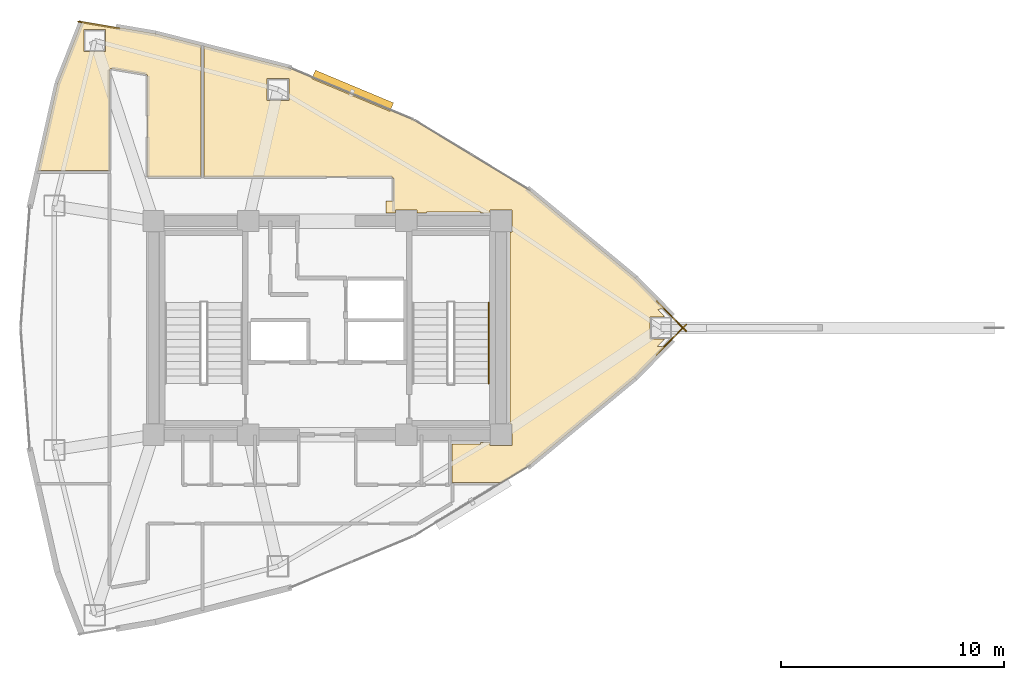
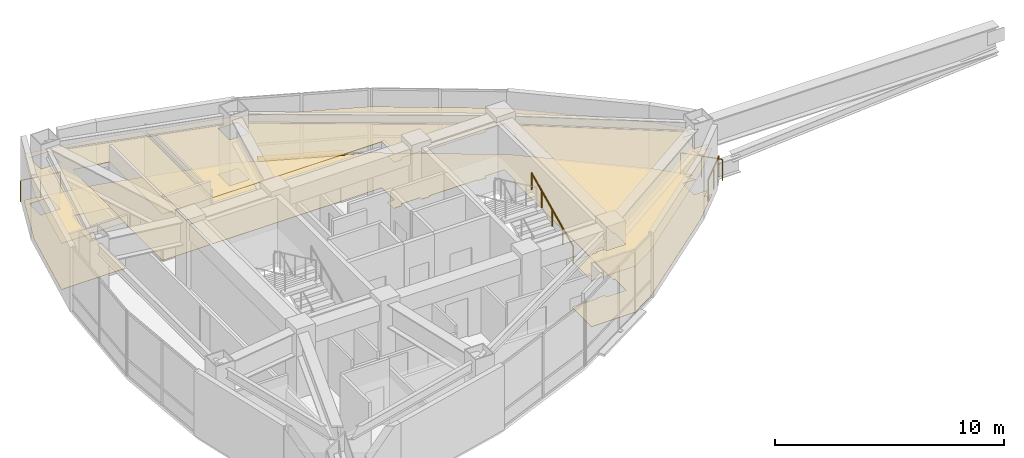
# One storey, part 15 of 15: 4 coverings, 4 railings, 1 shading device.
"""IFC4 building model written with IfcOpenShell, lengths in metres."""

from ifc_helpers import new_model, si_unit, direction, frame, origin, origin_2d, place, context, subcontext, project, spatial, polyline, rectangle, circle, outline, extrude, material, layer, layer_set, type_object, element, save


model = new_model("IFC4")

# Units and contexts
model_context = context("Model", 3, precision=1e-05, world=origin(), true_north=direction((0.0, 1.0)))
body_context = subcontext(model_context, "Body", "Model", "MODEL_VIEW")
ifc_project = project(units=[si_unit("LENGTHUNIT", "METRE"), si_unit("AREAUNIT", "SQUARE_METRE"), si_unit("VOLUMEUNIT", "CUBIC_METRE"), si_unit("PLANEANGLEUNIT", "RADIAN"), si_unit("MASSUNIT", "GRAM", prefix="KILO")], contexts=[model_context])

# Site, building, storey
site_placement = place(None, origin())
site = spatial("IfcSite", under=ifc_project, at=site_placement, CompositionType="ELEMENT")
building_placement = place(site_placement, origin())
building = spatial("IfcBuilding", under=site, at=building_placement, Name="Menara Vayukalpa", CompositionType="ELEMENT")
storey_placement = place(building_placement, frame((0.0, 0.0, 230.699951171875)))
storey = spatial("IfcBuildingStorey", under=building, at=storey_placement, Name="L58", CompositionType="ELEMENT", Elevation=230.699951171875)

# Coverings
ifc_material_1 = material(Name="Mineral Fibre Acoustic Ceiling Tile", Category="masonry")
ifc_layer_1 = layer(ifc_material_1, 0.02490234375)
ifc_layer_set_1 = layer_set([ifc_layer_1], Name="Mineral Fibre Acoustic Ceiling Tile")
covering_type_1 = type_object("IfcCoveringType", Name="COV-CLG1", PredefinedType="CEILING", material=ifc_layer_set_1)
covering_1_placement = place(storey_placement, frame((0.0, 0.0, 2.449951171875)))
element("IfcCovering", 1, at=covering_1_placement, inside=storey, type_object=covering_type_1, Name="L58 Departmental Archive Room Acoustic Ceiling", PredefinedType="CEILING", context=body_context, shape_type="SweptSolid", body=[
    extrude(outline(polyline([(33.81005859375, 26.31005859375), (33.889892578125, 26.31005859375), (33.889892578125, 27.2900390625), (32.909912109375, 27.2900390625), (32.909912109375, 27.14990234375), (32.489990234375, 27.14990234375), (32.489990234375, 27.2099609375), (30.06005859375, 27.2099609375), (30.06005859375, 27.14990234375), (29.639892578125, 27.14990234375), (29.639892578125, 27.2900390625), (28.659912109375, 27.2900390625), (28.659912109375, 27.14990234375), (28.239990234375, 27.14990234375), (28.239990234375, 27.7099609375), (28.570068359375, 27.7099609375), (28.570068359375, 28.69970703125), (28.569580078125, 28.706787109375), (28.568603515625, 28.713623046875), (28.56689453125, 28.72021484375), (28.564697265625, 28.726806640625), (28.561767578125, 28.73291015625), (28.55810546875, 28.73876953125), (28.553955078125, 28.744384765625), (28.549560546875, 28.74951171875), (28.54443359375, 28.75390625), (28.538818359375, 28.75830078125), (28.532958984375, 28.76171875), (28.52685546875, 28.7646484375), (28.520263671875, 28.76708984375), (28.513671875, 28.768798828125), (28.5068359375, 28.76953125), (28.499755859375, 28.77001953125), (20.070068359375, 28.77001953125), (20.069091796875, 28.77001953125), (20.068115234375, 28.770263671875), (20.067138671875, 28.7705078125), (20.066162109375, 28.770751953125), (20.065185546875, 28.771240234375), (20.064453125, 28.771728515625), (20.063720703125, 28.772216796875), (20.06298828125, 28.77294921875), (20.062255859375, 28.773681640625), (20.061767578125, 28.7744140625), (20.061279296875, 28.775390625), (20.060791015625, 28.776123046875), (20.060302734375, 28.777099609375), (20.060302734375, 28.778076171875), (20.06005859375, 28.779052734375), (20.06005859375, 28.780029296875), (20.06005859375, 34.641845703125), (20.06005859375, 34.642822265625), (20.060302734375, 34.643798828125), (20.060302734375, 34.644775390625), (20.060791015625, 34.6455078125), (20.06103515625, 34.646484375), (20.0615234375, 34.647216796875), (20.062255859375, 34.648193359375), (20.062744140625, 34.648681640625), (20.0634765625, 34.6494140625), (20.064208984375, 34.650146484375), (20.065185546875, 34.650634765625), (20.06591796875, 34.65087890625), (20.06689453125, 34.6513671875), (20.067626953125, 34.651611328125), (20.068603515625, 34.65185546875), (20.069580078125, 34.65185546875), (20.070556640625, 34.65185546875), (20.071533203125, 34.65185546875), (20.072509765625, 34.651611328125), (23.884765625, 33.67919921875), (23.885986328125, 33.6787109375), (29.478515625, 31.33935546875), (29.479248046875, 31.339111328125), (29.47998046875, 31.338623046875), (34.660888671875, 28.19140625), (34.662109375, 28.190673828125), (39.431884765625, 24.235107421875), (39.4326171875, 24.234375), (40.784912109375, 22.85693359375), (40.78564453125, 22.856201171875), (40.786376953125, 22.85546875), (40.786865234375, 22.8544921875), (40.787109375, 22.853759765625), (40.78759765625, 22.852783203125), (40.78759765625, 22.851806640625), (40.787841796875, 22.850830078125), (40.787841796875, 22.849853515625), (40.787841796875, 22.84912109375), (40.78759765625, 22.847900390625), (40.78759765625, 22.846923828125), (40.787109375, 22.84619140625), (40.78662109375, 22.84521484375), (40.7861328125, 22.844482421875), (40.78564453125, 22.843505859375), (40.784912109375, 22.843017578125), (40.7841796875, 22.84228515625), (40.783447265625, 22.841796875), (40.78271484375, 22.84130859375), (40.78173828125, 22.8408203125), (40.78076171875, 22.84033203125), (40.77978515625, 22.840087890625), (40.77880859375, 22.840087890625), (40.77783203125, 22.840087890625), (40.5908203125, 22.840087890625), (40.50830078125, 22.8359375), (40.4375, 22.825439453125), (40.76708984375, 22.489990234375), (40.1005859375, 22.489990234375), (40.1005859375, 21.510009765625), (40.76708984375, 21.510009765625), (40.4375, 21.174560546875), (40.50830078125, 21.1640625), (40.5908203125, 21.159912109375), (40.77783203125, 21.159912109375), (40.77880859375, 21.159912109375), (40.77978515625, 21.159912109375), (40.78076171875, 21.15966796875), (40.78173828125, 21.1591796875), (40.78271484375, 21.15869140625), (40.783447265625, 21.158203125), (40.7841796875, 21.15771484375), (40.784912109375, 21.156982421875), (40.78564453125, 21.156494140625), (40.7861328125, 21.155517578125), (40.78662109375, 21.15478515625), (40.787109375, 21.15380859375), (40.78759765625, 21.153076171875), (40.78759765625, 21.152099609375), (40.787841796875, 21.15087890625), (40.787841796875, 21.150146484375), (40.787841796875, 21.149169921875), (40.78759765625, 21.148193359375), (40.78759765625, 21.147216796875), (40.787109375, 21.146240234375), (40.786865234375, 21.1455078125), (40.786376953125, 21.14453125), (40.78564453125, 21.143798828125), (40.784912109375, 21.14306640625), (39.4326171875, 19.765625), (39.431884765625, 19.764892578125), (34.662109375, 15.809326171875), (34.660888671875, 15.80859375), (33.412109375, 15.050048828125), (33.4111328125, 15.049560546875), (33.410400390625, 15.049072265625), (33.409423828125, 15.048828125), (33.408447265625, 15.048583984375), (33.407470703125, 15.048583984375), (33.406494140625, 15.048583984375), (33.405517578125, 15.048583984375), (33.404541015625, 15.048828125), (33.403564453125, 15.049072265625), (33.402587890625, 15.04931640625), (33.40185546875, 15.0498046875), (33.396728515625, 15.052978515625), (33.391357421875, 15.055419921875), (33.385986328125, 15.057373046875), (33.380126953125, 15.058837890625), (33.374267578125, 15.059814453125), (33.368408203125, 15.06005859375), (31.219970703125, 15.06005859375), (31.218994140625, 15.06005859375), (31.218017578125, 15.060302734375), (31.217041015625, 15.060302734375), (31.21630859375, 15.060791015625), (31.21533203125, 15.061279296875), (31.21435546875, 15.061767578125), (31.213623046875, 15.062255859375), (31.212890625, 15.06298828125), (31.21240234375, 15.063720703125), (31.211669921875, 15.064453125), (31.211181640625, 15.065185546875), (31.210693359375, 15.066162109375), (31.21044921875, 15.067138671875), (31.210205078125, 15.068115234375), (31.2099609375, 15.069091796875), (31.2099609375, 15.070068359375), (31.2099609375, 16.780029296875), (31.2099609375, 16.781005859375), (31.210205078125, 16.781982421875), (31.21044921875, 16.782958984375), (31.210693359375, 16.78369140625), (31.211181640625, 16.78466796875), (31.211669921875, 16.78564453125), (31.21240234375, 16.786376953125), (31.212890625, 16.787109375), (31.213623046875, 16.78759765625), (31.21435546875, 16.788330078125), (31.21533203125, 16.788818359375), (31.21630859375, 16.789306640625), (31.217041015625, 16.78955078125), (31.218017578125, 16.789794921875), (31.218994140625, 16.7900390625), (31.219970703125, 16.7900390625), (32.489990234375, 16.7900390625), (32.489990234375, 16.85009765625), (32.909912109375, 16.85009765625), (32.909912109375, 16.7099609375), (33.889892578125, 16.7099609375), (33.889892578125, 17.68994140625), (33.81005859375, 17.68994140625), (33.81005859375, 26.31005859375)]), holes=[polyline([(23.87939453125, 33.198486328125), (22.8994140625, 33.198486328125), (22.8994140625, 32.218505859375), (23.87939453125, 32.218505859375), (23.87939453125, 33.198486328125)])]), origin(), (0.0, 0.0, 1.0), 0.025146484375),
])
covering_2_placement = place(storey_placement, frame((0.0, 0.0, 2.449951171875)))
element("IfcCovering", 2, at=covering_2_placement, inside=storey, type_object=covering_type_1, Name="L58 Departmental Archive Room Acoustic Ceiling", PredefinedType="CEILING", context=body_context, shape_type="SweptSolid", body=[
    extrude(outline(polyline([(13.489013671875, 32.976318359375), (14.583251953125, 35.762451171875), (14.58349609375, 35.76318359375), (14.583984375, 35.76416015625), (14.584716796875, 35.764892578125), (14.585205078125, 35.765625), (14.5859375, 35.766357421875), (14.5869140625, 35.766845703125), (14.587646484375, 35.767333984375), (14.58837890625, 35.767822265625), (14.58935546875, 35.768310546875), (14.59033203125, 35.7685546875), (14.59130859375, 35.7685546875), (14.59228515625, 35.768798828125), (14.59326171875, 35.768798828125), (14.59423828125, 35.7685546875), (17.879150390625, 35.2109375), (17.8798828125, 35.210693359375), (19.9326171875, 34.687255859375), (19.933349609375, 34.68701171875), (19.934326171875, 34.6865234375), (19.935302734375, 34.68603515625), (19.93603515625, 34.685546875), (19.93701171875, 34.684814453125), (19.9375, 34.68408203125), (19.938232421875, 34.683349609375), (19.938720703125, 34.6826171875), (19.939208984375, 34.681640625), (19.939453125, 34.6806640625), (19.939697265625, 34.6796875), (19.93994140625, 34.6787109375), (19.93994140625, 34.677490234375), (19.93994140625, 28.780029296875), (19.93994140625, 28.779052734375), (19.939697265625, 28.778076171875), (19.939697265625, 28.777099609375), (19.939208984375, 28.776123046875), (19.938720703125, 28.775390625), (19.938232421875, 28.7744140625), (19.937744140625, 28.773681640625), (19.93701171875, 28.77294921875), (19.936279296875, 28.772216796875), (19.935546875, 28.771728515625), (19.934814453125, 28.771240234375), (19.933837890625, 28.770751953125), (19.932861328125, 28.7705078125), (19.931884765625, 28.770263671875), (19.930908203125, 28.77001953125), (19.929931640625, 28.77001953125), (17.5400390625, 28.77001953125), (17.5390625, 28.77001953125), (17.5380859375, 28.770263671875), (17.537109375, 28.7705078125), (17.5361328125, 28.770751953125), (17.535400390625, 28.771240234375), (17.534423828125, 28.771728515625), (17.53369140625, 28.772216796875), (17.532958984375, 28.77294921875), (17.5322265625, 28.773681640625), (17.53173828125, 28.7744140625), (17.53125, 28.775390625), (17.53076171875, 28.776123046875), (17.530517578125, 28.777099609375), (17.5302734375, 28.778076171875), (17.530029296875, 28.779052734375), (17.530029296875, 28.780029296875), (17.530029296875, 33.314208984375), (17.529541015625, 33.3212890625), (17.528564453125, 33.328125), (17.52685546875, 33.335205078125), (17.5244140625, 33.341552734375), (17.521484375, 33.347900390625), (17.517822265625, 33.353759765625), (17.513427734375, 33.359375), (17.508544921875, 33.364501953125), (17.50341796875, 33.369140625), (17.497802734375, 33.373291015625), (17.49169921875, 33.376708984375), (17.485107421875, 33.37939453125), (17.478515625, 33.3818359375), (17.471435546875, 33.38330078125), (15.912109375, 33.648193359375), (15.905029296875, 33.64892578125), (15.898193359375, 33.649169921875), (15.8916015625, 33.648681640625), (15.884765625, 33.6474609375), (15.87841796875, 33.645751953125), (15.8720703125, 33.643310546875), (15.865966796875, 33.64013671875), (15.860107421875, 33.63671875), (15.854736328125, 33.632568359375), (15.849853515625, 33.6279296875), (15.845458984375, 33.623046875), (15.841552734375, 33.617431640625), (15.837890625, 33.611572265625), (15.835205078125, 33.60546875), (15.8330078125, 33.59912109375), (15.831298828125, 33.592529296875), (15.830322265625, 33.585693359375), (15.830078125, 33.578857421875), (15.830078125, 29.070068359375), (15.830078125, 29.069091796875), (15.829833984375, 29.068115234375), (15.82958984375, 29.067138671875), (15.8291015625, 29.066162109375), (15.828857421875, 29.065185546875), (15.828369140625, 29.064453125), (15.82763671875, 29.063720703125), (15.8271484375, 29.06298828125), (15.826416015625, 29.062255859375), (15.82568359375, 29.061767578125), (15.82470703125, 29.061279296875), (15.82373046875, 29.060791015625), (15.822998046875, 29.060302734375), (15.822021484375, 29.060302734375), (15.821044921875, 29.06005859375), (15.820068359375, 29.06005859375), (12.6201171875, 29.06005859375), (12.619140625, 29.06005859375), (12.6181640625, 29.060302734375), (12.6171875, 29.060302734375), (12.6162109375, 29.060791015625), (12.615478515625, 29.061279296875), (12.614501953125, 29.061767578125), (12.61376953125, 29.062255859375), (12.613037109375, 29.06298828125), (12.6123046875, 29.063720703125), (12.61181640625, 29.064697265625), (12.611328125, 29.0654296875), (12.61083984375, 29.06640625), (12.610595703125, 29.0673828125), (12.6103515625, 29.068115234375), (12.610107421875, 29.069091796875), (12.610107421875, 29.0703125), (12.6103515625, 29.0712890625), (12.6103515625, 29.072265625), (13.488525390625, 32.974853515625), (13.48876953125, 32.9755859375), (13.489013671875, 32.976318359375)]), holes=[polyline([(15.644775390625, 35.392578125), (14.664794921875, 35.392578125), (14.664794921875, 34.41259765625), (15.644775390625, 34.41259765625), (15.644775390625, 35.392578125)])]), origin(), (0.0, 0.0, 1.0), 0.025146484375),
])
ifc_material_2 = material(Name="Porcelain Stoneware Floor Tile", Category="masonry")
ifc_layer_2 = layer(ifc_material_2, 0.02001953125)
ifc_layer_set_2 = layer_set([ifc_layer_2], Name="Porcelain Stoneware Floor Tile")
covering_type_2 = type_object("IfcCoveringType", Name="COV-FLR1", PredefinedType="FLOORING", material=ifc_layer_set_2)
covering_3_placement = place(storey_placement, origin())
element("IfcCovering", 3, at=covering_3_placement, inside=storey, type_object=covering_type_2, Name="L58 Departmental Archive Room Porcelain Flooring", PredefinedType="FLOORING", context=body_context, shape_type="SweptSolid", body=[
    extrude(outline(polyline([(33.81005859375, 26.31005859375), (33.889892578125, 26.31005859375), (33.889892578125, 27.2900390625), (32.909912109375, 27.2900390625), (32.909912109375, 27.14990234375), (32.489990234375, 27.14990234375), (32.489990234375, 27.2099609375), (30.06005859375, 27.2099609375), (30.06005859375, 27.14990234375), (29.639892578125, 27.14990234375), (29.639892578125, 27.2900390625), (28.659912109375, 27.2900390625), (28.659912109375, 27.14990234375), (28.239990234375, 27.14990234375), (28.239990234375, 27.7099609375), (28.570068359375, 27.7099609375), (28.570068359375, 28.69970703125), (28.569580078125, 28.706787109375), (28.568603515625, 28.713623046875), (28.56689453125, 28.72021484375), (28.564697265625, 28.726806640625), (28.561767578125, 28.73291015625), (28.55810546875, 28.73876953125), (28.553955078125, 28.744384765625), (28.549560546875, 28.74951171875), (28.54443359375, 28.75390625), (28.538818359375, 28.75830078125), (28.532958984375, 28.76171875), (28.52685546875, 28.7646484375), (28.520263671875, 28.76708984375), (28.513671875, 28.768798828125), (28.5068359375, 28.76953125), (28.499755859375, 28.77001953125), (20.070068359375, 28.77001953125), (20.069091796875, 28.77001953125), (20.068115234375, 28.770263671875), (20.067138671875, 28.7705078125), (20.066162109375, 28.770751953125), (20.065185546875, 28.771240234375), (20.064453125, 28.771728515625), (20.063720703125, 28.772216796875), (20.06298828125, 28.77294921875), (20.062255859375, 28.773681640625), (20.061767578125, 28.7744140625), (20.061279296875, 28.775390625), (20.060791015625, 28.776123046875), (20.060302734375, 28.777099609375), (20.060302734375, 28.778076171875), (20.06005859375, 28.779052734375), (20.06005859375, 28.780029296875), (20.06005859375, 34.641845703125), (20.06005859375, 34.642822265625), (20.060302734375, 34.643798828125), (20.060302734375, 34.644775390625), (20.060791015625, 34.6455078125), (20.06103515625, 34.646484375), (20.0615234375, 34.647216796875), (20.062255859375, 34.648193359375), (20.062744140625, 34.648681640625), (20.0634765625, 34.6494140625), (20.064208984375, 34.650146484375), (20.065185546875, 34.650634765625), (20.06591796875, 34.65087890625), (20.06689453125, 34.6513671875), (20.067626953125, 34.651611328125), (20.068603515625, 34.65185546875), (20.069580078125, 34.65185546875), (20.070556640625, 34.65185546875), (20.071533203125, 34.65185546875), (20.072509765625, 34.651611328125), (23.884765625, 33.67919921875), (23.885986328125, 33.6787109375), (29.478515625, 31.33935546875), (29.479248046875, 31.339111328125), (29.47998046875, 31.338623046875), (34.660888671875, 28.19140625), (34.662109375, 28.190673828125), (39.431884765625, 24.235107421875), (39.4326171875, 24.234375), (40.784912109375, 22.85693359375), (40.78564453125, 22.856201171875), (40.786376953125, 22.85546875), (40.786865234375, 22.8544921875), (40.787109375, 22.853759765625), (40.78759765625, 22.852783203125), (40.78759765625, 22.851806640625), (40.787841796875, 22.850830078125), (40.787841796875, 22.849853515625), (40.787841796875, 22.84912109375), (40.78759765625, 22.847900390625), (40.78759765625, 22.846923828125), (40.787109375, 22.84619140625), (40.78662109375, 22.84521484375), (40.7861328125, 22.844482421875), (40.78564453125, 22.843505859375), (40.784912109375, 22.843017578125), (40.7841796875, 22.84228515625), (40.783447265625, 22.841796875), (40.78271484375, 22.84130859375), (40.78173828125, 22.8408203125), (40.78076171875, 22.84033203125), (40.77978515625, 22.840087890625), (40.77880859375, 22.840087890625), (40.77783203125, 22.840087890625), (40.5908203125, 22.840087890625), (40.50830078125, 22.8359375), (40.4375, 22.825439453125), (40.76708984375, 22.489990234375), (40.1005859375, 22.489990234375), (40.1005859375, 21.510009765625), (40.76708984375, 21.510009765625), (40.4375, 21.174560546875), (40.50830078125, 21.1640625), (40.5908203125, 21.159912109375), (40.77783203125, 21.159912109375), (40.77880859375, 21.159912109375), (40.77978515625, 21.159912109375), (40.78076171875, 21.15966796875), (40.78173828125, 21.1591796875), (40.78271484375, 21.15869140625), (40.783447265625, 21.158203125), (40.7841796875, 21.15771484375), (40.784912109375, 21.156982421875), (40.78564453125, 21.156494140625), (40.7861328125, 21.155517578125), (40.78662109375, 21.15478515625), (40.787109375, 21.15380859375), (40.78759765625, 21.153076171875), (40.78759765625, 21.152099609375), (40.787841796875, 21.15087890625), (40.787841796875, 21.150146484375), (40.787841796875, 21.149169921875), (40.78759765625, 21.148193359375), (40.78759765625, 21.147216796875), (40.787109375, 21.146240234375), (40.786865234375, 21.1455078125), (40.786376953125, 21.14453125), (40.78564453125, 21.143798828125), (40.784912109375, 21.14306640625), (39.4326171875, 19.765625), (39.431884765625, 19.764892578125), (34.662109375, 15.809326171875), (34.660888671875, 15.80859375), (33.412109375, 15.050048828125), (33.4111328125, 15.049560546875), (33.410400390625, 15.049072265625), (33.409423828125, 15.048828125), (33.408447265625, 15.048583984375), (33.407470703125, 15.048583984375), (33.406494140625, 15.048583984375), (33.405517578125, 15.048583984375), (33.404541015625, 15.048828125), (33.403564453125, 15.049072265625), (33.402587890625, 15.04931640625), (33.40185546875, 15.0498046875), (33.396728515625, 15.052978515625), (33.391357421875, 15.055419921875), (33.385986328125, 15.057373046875), (33.380126953125, 15.058837890625), (33.374267578125, 15.059814453125), (33.368408203125, 15.06005859375), (31.219970703125, 15.06005859375), (31.218994140625, 15.06005859375), (31.218017578125, 15.060302734375), (31.217041015625, 15.060302734375), (31.21630859375, 15.060791015625), (31.21533203125, 15.061279296875), (31.21435546875, 15.061767578125), (31.213623046875, 15.062255859375), (31.212890625, 15.06298828125), (31.21240234375, 15.063720703125), (31.211669921875, 15.064453125), (31.211181640625, 15.065185546875), (31.210693359375, 15.066162109375), (31.21044921875, 15.067138671875), (31.210205078125, 15.068115234375), (31.2099609375, 15.069091796875), (31.2099609375, 15.070068359375), (31.2099609375, 16.780029296875), (31.2099609375, 16.781005859375), (31.210205078125, 16.781982421875), (31.21044921875, 16.782958984375), (31.210693359375, 16.78369140625), (31.211181640625, 16.78466796875), (31.211669921875, 16.78564453125), (31.21240234375, 16.786376953125), (31.212890625, 16.787109375), (31.213623046875, 16.78759765625), (31.21435546875, 16.788330078125), (31.21533203125, 16.788818359375), (31.21630859375, 16.789306640625), (31.217041015625, 16.78955078125), (31.218017578125, 16.789794921875), (31.218994140625, 16.7900390625), (31.219970703125, 16.7900390625), (32.489990234375, 16.7900390625), (32.489990234375, 16.85009765625), (32.909912109375, 16.85009765625), (32.909912109375, 16.7099609375), (33.889892578125, 16.7099609375), (33.889892578125, 17.68994140625), (33.81005859375, 17.68994140625), (33.81005859375, 26.31005859375)]), holes=[polyline([(23.87939453125, 33.198486328125), (22.8994140625, 33.198486328125), (22.8994140625, 32.218505859375), (23.87939453125, 32.218505859375), (23.87939453125, 33.198486328125)])]), origin(), (0.0, 0.0, 1.0), 0.02001953125),
])
covering_4_placement = place(storey_placement, origin())
element("IfcCovering", 4, at=covering_4_placement, inside=storey, type_object=covering_type_2, Name="L58 Departmental Archive Room Porcelain Flooring", PredefinedType="FLOORING", context=body_context, shape_type="SweptSolid", body=[
    extrude(outline(polyline([(13.489013671875, 32.976318359375), (14.583251953125, 35.762451171875), (14.58349609375, 35.76318359375), (14.583984375, 35.76416015625), (14.584716796875, 35.764892578125), (14.585205078125, 35.765625), (14.5859375, 35.766357421875), (14.5869140625, 35.766845703125), (14.587646484375, 35.767333984375), (14.58837890625, 35.767822265625), (14.58935546875, 35.768310546875), (14.59033203125, 35.7685546875), (14.59130859375, 35.7685546875), (14.59228515625, 35.768798828125), (14.59326171875, 35.768798828125), (14.59423828125, 35.7685546875), (17.879150390625, 35.2109375), (17.8798828125, 35.210693359375), (19.9326171875, 34.687255859375), (19.933349609375, 34.68701171875), (19.934326171875, 34.6865234375), (19.935302734375, 34.68603515625), (19.93603515625, 34.685546875), (19.93701171875, 34.684814453125), (19.9375, 34.68408203125), (19.938232421875, 34.683349609375), (19.938720703125, 34.6826171875), (19.939208984375, 34.681640625), (19.939453125, 34.6806640625), (19.939697265625, 34.6796875), (19.93994140625, 34.6787109375), (19.93994140625, 34.677490234375), (19.93994140625, 28.780029296875), (19.93994140625, 28.779052734375), (19.939697265625, 28.778076171875), (19.939697265625, 28.777099609375), (19.939208984375, 28.776123046875), (19.938720703125, 28.775390625), (19.938232421875, 28.7744140625), (19.937744140625, 28.773681640625), (19.93701171875, 28.77294921875), (19.936279296875, 28.772216796875), (19.935546875, 28.771728515625), (19.934814453125, 28.771240234375), (19.933837890625, 28.770751953125), (19.932861328125, 28.7705078125), (19.931884765625, 28.770263671875), (19.930908203125, 28.77001953125), (19.929931640625, 28.77001953125), (17.5400390625, 28.77001953125), (17.5390625, 28.77001953125), (17.5380859375, 28.770263671875), (17.537109375, 28.7705078125), (17.5361328125, 28.770751953125), (17.535400390625, 28.771240234375), (17.534423828125, 28.771728515625), (17.53369140625, 28.772216796875), (17.532958984375, 28.77294921875), (17.5322265625, 28.773681640625), (17.53173828125, 28.7744140625), (17.53125, 28.775390625), (17.53076171875, 28.776123046875), (17.530517578125, 28.777099609375), (17.5302734375, 28.778076171875), (17.530029296875, 28.779052734375), (17.530029296875, 28.780029296875), (17.530029296875, 33.314208984375), (17.529541015625, 33.3212890625), (17.528564453125, 33.328125), (17.52685546875, 33.335205078125), (17.5244140625, 33.341552734375), (17.521484375, 33.347900390625), (17.517822265625, 33.353759765625), (17.513427734375, 33.359375), (17.508544921875, 33.364501953125), (17.50341796875, 33.369140625), (17.497802734375, 33.373291015625), (17.49169921875, 33.376708984375), (17.485107421875, 33.37939453125), (17.478515625, 33.3818359375), (17.471435546875, 33.38330078125), (15.912109375, 33.648193359375), (15.905029296875, 33.64892578125), (15.898193359375, 33.649169921875), (15.8916015625, 33.648681640625), (15.884765625, 33.6474609375), (15.87841796875, 33.645751953125), (15.8720703125, 33.643310546875), (15.865966796875, 33.64013671875), (15.860107421875, 33.63671875), (15.854736328125, 33.632568359375), (15.849853515625, 33.6279296875), (15.845458984375, 33.623046875), (15.841552734375, 33.617431640625), (15.837890625, 33.611572265625), (15.835205078125, 33.60546875), (15.8330078125, 33.59912109375), (15.831298828125, 33.592529296875), (15.830322265625, 33.585693359375), (15.830078125, 33.578857421875), (15.830078125, 29.070068359375), (15.830078125, 29.069091796875), (15.829833984375, 29.068115234375), (15.82958984375, 29.067138671875), (15.8291015625, 29.066162109375), (15.828857421875, 29.065185546875), (15.828369140625, 29.064453125), (15.82763671875, 29.063720703125), (15.8271484375, 29.06298828125), (15.826416015625, 29.062255859375), (15.82568359375, 29.061767578125), (15.82470703125, 29.061279296875), (15.82373046875, 29.060791015625), (15.822998046875, 29.060302734375), (15.822021484375, 29.060302734375), (15.821044921875, 29.06005859375), (15.820068359375, 29.06005859375), (12.6201171875, 29.06005859375), (12.619140625, 29.06005859375), (12.6181640625, 29.060302734375), (12.6171875, 29.060302734375), (12.6162109375, 29.060791015625), (12.615478515625, 29.061279296875), (12.614501953125, 29.061767578125), (12.61376953125, 29.062255859375), (12.613037109375, 29.06298828125), (12.6123046875, 29.063720703125), (12.61181640625, 29.064697265625), (12.611328125, 29.0654296875), (12.61083984375, 29.06640625), (12.610595703125, 29.0673828125), (12.6103515625, 29.068115234375), (12.610107421875, 29.069091796875), (12.610107421875, 29.0703125), (12.6103515625, 29.0712890625), (12.6103515625, 29.072265625), (13.488525390625, 32.974853515625), (13.48876953125, 32.9755859375), (13.489013671875, 32.976318359375)]), holes=[polyline([(15.644775390625, 35.392578125), (14.664794921875, 35.392578125), (14.664794921875, 34.41259765625), (15.644775390625, 34.41259765625), (15.644775390625, 35.392578125)])]), origin(), (0.0, 0.0, 1.0), 0.02001953125),
])

# Railings
ifc_material_3 = material(Name="Laminated Glass and Stainless Steel 316 Guardrail", Category="steel")
railing_type_1 = type_object("IfcRailingType", Name="RLG-EXT115", PredefinedType="GUARDRAIL", material=ifc_material_3)
railing_1_placement = place(storey_placement, frame((40.392333984375, 20.800048828125, 0.0)))
element("IfcRailing", 5, at=railing_1_placement, inside=storey, type_object=railing_type_1, Name="L58 Column Corner Spandrel Guardrail 01-1", PredefinedType="GUARDRAIL", context=body_context, shape_type="SweptSolid", body=[
    extrude(circle(Radius=0.02392578125, at=origin_2d()), frame((0.0, 0.0, 1.1259765625), z_axis=(0.700555409966, 0.713598008382, 0.0), x_axis=(-0.713598008382, 0.700555409966, 0.0)), (0.0, 0.0, 1.0), 1.890625),
    extrude(circle(Radius=0.02099609375, at=origin_2d()), origin(), (0.0, 0.0, 1.0), 1.101806640625),
    extrude(circle(Radius=0.02099609375, at=origin_2d()), frame((0.662109375, 0.674560546875, 0.0)), (0.0, 0.0, 1.0), 1.101806640625),
    extrude(circle(Radius=0.02099609375, at=origin_2d()), frame((1.324462890625, 1.34912109375, 0.0)), (0.0, 0.0, 1.0), 1.101806640625),
])
railing_2_placement = place(storey_placement, frame((41.716796875, 21.850830078125, 0.0)))
element("IfcRailing", 6, at=railing_2_placement, inside=storey, type_object=railing_type_1, Name="L58 Column Corner Spandrel Guardrail 02-1", PredefinedType="GUARDRAIL", context=body_context, shape_type="SweptSolid", body=[
    extrude(circle(Radius=0.02392578125, at=origin_2d()), frame((0.0, 0.0, 1.1259765625), z_axis=(-0.700555409966, 0.713598008382, 0.0), x_axis=(-0.713598008382, -0.700555409966, 0.0)), (0.0, 0.0, 1.0), 1.890625),
    extrude(circle(Radius=0.02099609375, at=origin_2d()), origin(), (0.0, 0.0, 1.0), 1.101806640625),
    extrude(circle(Radius=0.02099609375, at=origin_2d()), frame((-0.662109375, 0.674560546875, 0.0)), (0.0, 0.0, 1.0), 1.101806640625),
    extrude(circle(Radius=0.02099609375, at=origin_2d()), frame((-1.324462890625, 1.34912109375, 0.0)), (0.0, 0.0, 1.0), 1.101806640625),
])
railing_3_placement = place(storey_placement, frame((16.256103515625, 35.44580078125, 0.0)))
element("IfcRailing", 7, at=railing_3_placement, inside=storey, type_object=railing_type_1, Name="L58 Column Corner Spandrel Guardrail 07-1", PredefinedType="GUARDRAIL", context=body_context, shape_type="SweptSolid", body=[
    extrude(circle(Radius=0.02392578125, at=origin_2d()), frame((0.0, 0.0, 1.1259765625), z_axis=(-0.985895107684, 0.167364382844, 0.0), x_axis=(-0.167364382844, -0.985895107684, 0.0)), (0.0, 0.0, 1.0), 1.86865234375),
    extrude(circle(Radius=0.02099609375, at=origin_2d()), origin(), (0.0, 0.0, 1.0), 1.101806640625),
    extrude(circle(Radius=0.02099609375, at=origin_2d()), frame((-0.921142578125, 0.15625, 0.0)), (0.0, 0.0, 1.0), 1.101806640625),
    extrude(circle(Radius=0.02099609375, at=origin_2d()), frame((-1.84228515625, 0.312744140625, 0.0)), (0.0, 0.0, 1.0), 1.101806640625),
])
ifc_material_4 = material(Name="Stainless Steel 316 Tubular Handrail", Category="steel")
railing_type_2 = type_object("IfcRailingType", Name="RLG-STH090", PredefinedType="HANDRAIL", material=ifc_material_4)
railing_4_placement = place(storey_placement, frame((32.85009765625, 19.5, 0.155029296875)))
element("IfcRailing", 8, at=railing_4_placement, inside=storey, type_object=railing_type_2, Name="L58 ST-2 stair handrail 1", PredefinedType="HANDRAIL", context=body_context, shape_type="SweptSolid", body=[
    extrude(circle(Radius=0.02392578125, at=origin_2d()), frame((0.0, 0.0, 0.8759765625), z_axis=(0.0, 0.90511648382, 0.425163675209), x_axis=(-1.0, 0.0, 0.0)), (0.0, 0.0, 1.0), 4.010498046875),
    extrude(circle(Radius=0.02099609375, at=origin_2d()), origin(), (0.0, 0.0, 1.0), 0.851806640625),
    extrude(circle(Radius=0.02099609375, at=origin_2d()), frame((0.0, 0.907470703125, 0.42626953125)), (0.0, 0.0, 1.0), 0.851806640625),
    extrude(circle(Radius=0.02099609375, at=origin_2d()), frame((0.0, 1.81494140625, 0.8525390625)), (0.0, 0.0, 1.0), 0.851806640625),
    extrude(circle(Radius=0.02099609375, at=origin_2d()), frame((0.0, 2.722412109375, 1.27880859375)), (0.0, 0.0, 1.0), 0.851806640625),
    extrude(circle(Radius=0.02099609375, at=origin_2d()), frame((0.0, 3.6298828125, 1.705078125)), (0.0, 0.0, 1.0), 0.851806640625),
])

# Shading device
ifc_material_5 = material(Name="Glazed Terracotta Ceramic Baguette Extrusion", Category="masonry")
ifc_layer_3 = layer(ifc_material_5, 0.1201171875)
ifc_layer_set_3 = layer_set([ifc_layer_3], Name="Glazed Terracotta Ceramic Baguette Extrusion")
shading_device_type = type_object("IfcShadingDeviceType", Name="SHD-SS1", PredefinedType="USERDEFINED", material=ifc_layer_set_3)
shading_device_placement = place(storey_placement, frame((26.740234375, 32.6474609375, -0.10009765625), z_axis=(0.0, 0.0, 1.0), x_axis=(-0.922538089456, 0.385906042324, 0.0)))
element("IfcShadingDevice", 9, at=shading_device_placement, inside=storey, type_object=shading_device_type, Name="L58 Horizontal Terracotta Sunshade Band 05", ObjectType="SUNSHADE", PredefinedType="USERDEFINED", context=body_context, shape_type="SweptSolid", body=[
    extrude(rectangle(XDim=3.800048828125, YDim=0.419921875, at=origin_2d()), origin(), (0.0, 0.0, 1.0), 0.1201171875),
])

save(model, "model.ifc")
